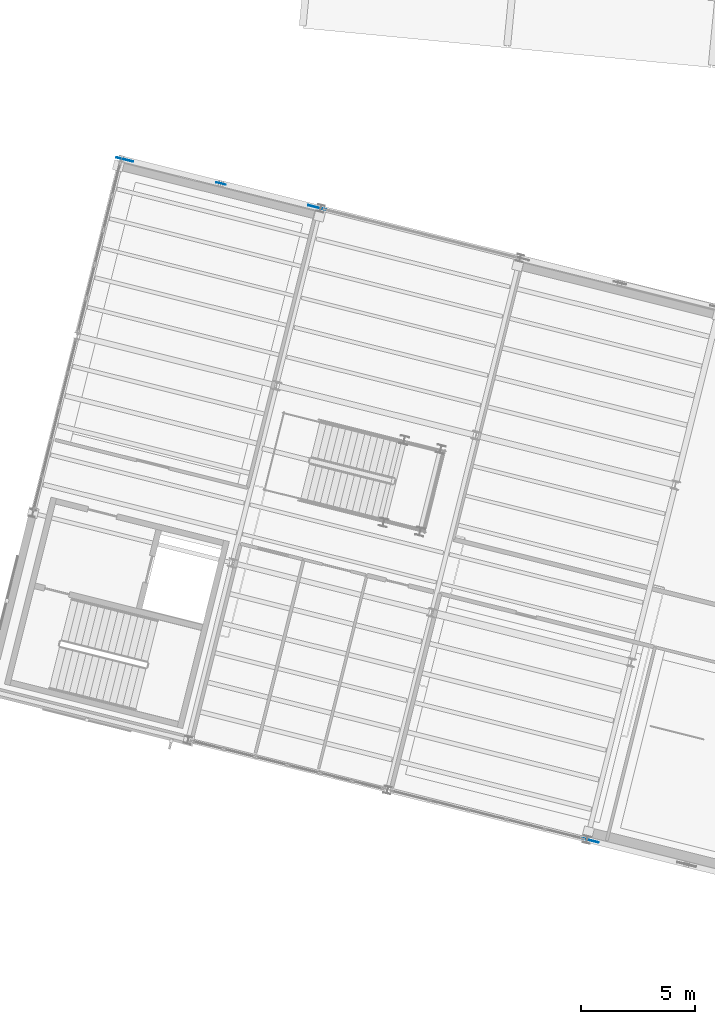
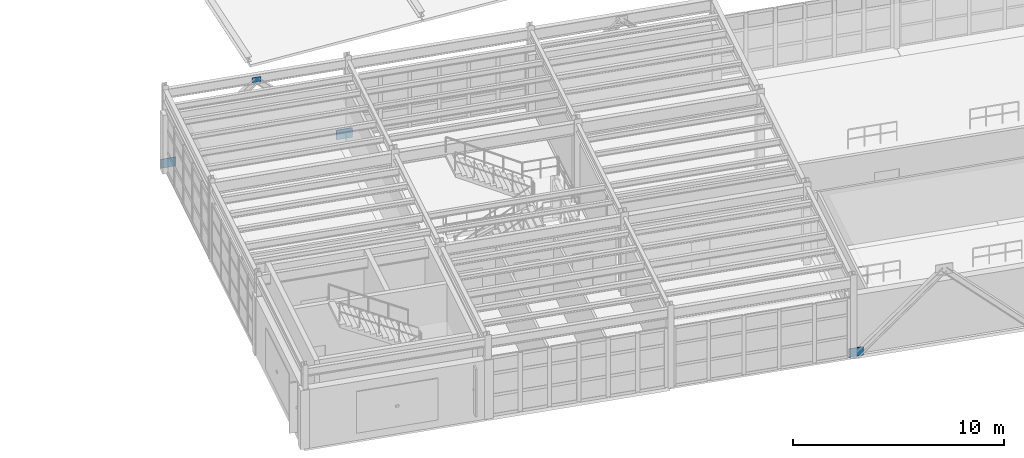
# One storey, part 41 of 59: 4 plates.
"""IFC4 building model written with IfcOpenShell, lengths in metres."""

from ifc_helpers import new_model, si_unit, direction, frame, origin, origin_2d, place, context, subcontext, project, spatial, rectangle, extrude, material, layer, layer_set, type_object, element, save


model = new_model("IFC4")

# Units and contexts
model_context = context("Model", 3, precision=1e-05, world=origin(), true_north=direction((0.0, 1.0)))
body_context = subcontext(model_context, "Body", "Model", "MODEL_VIEW")
ifc_project = project(units=[si_unit("LENGTHUNIT", "METRE"), si_unit("AREAUNIT", "SQUARE_METRE"), si_unit("VOLUMEUNIT", "CUBIC_METRE"), si_unit("PLANEANGLEUNIT", "RADIAN"), si_unit("MASSUNIT", "GRAM", prefix="KILO")], contexts=[model_context])

# Site, building, storey
site_placement = place(None, origin())
site = spatial("IfcSite", under=ifc_project, at=site_placement, CompositionType="ELEMENT")
building_placement = place(site_placement, origin())
building = spatial("IfcBuilding", under=site, at=building_placement, Name="Vireo Bluff Cable Station", CompositionType="ELEMENT")
storey_placement = place(building_placement, frame((0.0, 0.0, 14.39990234375)))
storey = spatial("IfcBuildingStorey", under=building, at=storey_placement, Name="L03", CompositionType="ELEMENT", Elevation=14.39990234375)

# Plates
ifc_material = material(Name="Steel ASTM A572 Gr. 50", Category="steel")
ifc_layer_1 = layer(ifc_material, 0.01708984375, Name="Steel ASTM A572 Gr. 50")
ifc_layer_set_1 = layer_set([ifc_layer_1], Name="Steel ASTM A572 Gr. 50")
plate_type_1 = type_object("IfcPlateType", Name="GUSSET-440X290X17", PredefinedType="USERDEFINED", material=ifc_layer_set_1)
plate_1_placement = place(storey_placement, frame((64.17236328125, 60.198486328125, 4.03515625), z_axis=(0.0, 0.0, 1.0), x_axis=(0.970295726276, -0.2419218956, 0.0)))
element("IfcPlate", 1, at=plate_1_placement, inside=storey, type_object=plate_type_1, Name="V1 L03 chevron gusset plate 50", ObjectType="GUSSET PLATE", PredefinedType="USERDEFINED", context=body_context, shape_type="SweptSolid", body=[
    extrude(rectangle(XDim=0.43994140625, YDim=0.01708984375, at=origin_2d()), origin(), (0.0, 0.0, 1.0), 0.2900390625),
])
ifc_layer_2 = layer(ifc_material, 0.031005859375, Name="Steel ASTM A572 Gr. 50")
ifc_layer_set_2 = layer_set([ifc_layer_2], Name="Steel ASTM A572 Gr. 50")
plate_type_2 = type_object("IfcPlateType", Name="GUSSET-720X490X31", PredefinedType="USERDEFINED", material=ifc_layer_set_2)
plate_2_placement = place(storey_placement, frame((80.353271484375, 31.429443359375, -0.02490234375), z_axis=(0.0, 0.0, 1.0), x_axis=(0.970295726276, -0.2419218956, 0.0)))
element("IfcPlate", 2, at=plate_2_placement, inside=storey, type_object=plate_type_2, Name="V1 L03 brace base gusset plate 57", ObjectType="GUSSET PLATE", PredefinedType="USERDEFINED", context=body_context, shape_type="SweptSolid", body=[
    extrude(rectangle(XDim=0.719970703125, YDim=0.031005859375, at=origin_2d()), origin(), (0.0, 0.0, 1.0), 0.489990234375),
])
ifc_layer_3 = layer(ifc_material, 0.031982421875, Name="Steel ASTM A572 Gr. 50")
ifc_layer_set_3 = layer_set([ifc_layer_3], Name="Steel ASTM A572 Gr. 50")
plate_type_3 = type_object("IfcPlateType", Name="GUSSET-750X520X32", PredefinedType="USERDEFINED", material=ifc_layer_set_3)
plate_3_placement = place(storey_placement, frame((59.96142578125, 61.248291015625, -0.039794921875), z_axis=(0.0, 0.0, 1.0), x_axis=(0.970295726276, -0.2419218956, 0.0)))
element("IfcPlate", 3, at=plate_3_placement, inside=storey, type_object=plate_type_3, Name="V1 L03 brace base gusset plate 48", ObjectType="GUSSET PLATE", PredefinedType="USERDEFINED", context=body_context, shape_type="SweptSolid", body=[
    extrude(rectangle(XDim=0.75, YDim=0.031982421875, at=origin_2d()), origin(), (0.0, 0.0, 1.0), 0.52001953125),
])
ifc_layer_4 = layer(ifc_material, 0.034912109375, Name="Steel ASTM A572 Gr. 50")
ifc_layer_set_4 = layer_set([ifc_layer_4], Name="Steel ASTM A572 Gr. 50")
plate_type_4 = type_object("IfcPlateType", Name="GUSSET-800X560X35", PredefinedType="USERDEFINED", material=ifc_layer_set_4)
plate_4_placement = place(storey_placement, frame((68.383544921875, 59.1484375, -0.059814453125), z_axis=(0.0, 0.0, 1.0), x_axis=(0.970295726276, -0.2419218956, 0.0)))
element("IfcPlate", 4, at=plate_4_placement, inside=storey, type_object=plate_type_4, Name="V1 L03 brace base gusset plate 49", ObjectType="GUSSET PLATE", PredefinedType="USERDEFINED", context=body_context, shape_type="SweptSolid", body=[
    extrude(rectangle(XDim=0.800048828125, YDim=0.034912109375, at=origin_2d()), origin(), (0.0, 0.0, 1.0), 0.56005859375),
])

save(model, "model.ifc")
